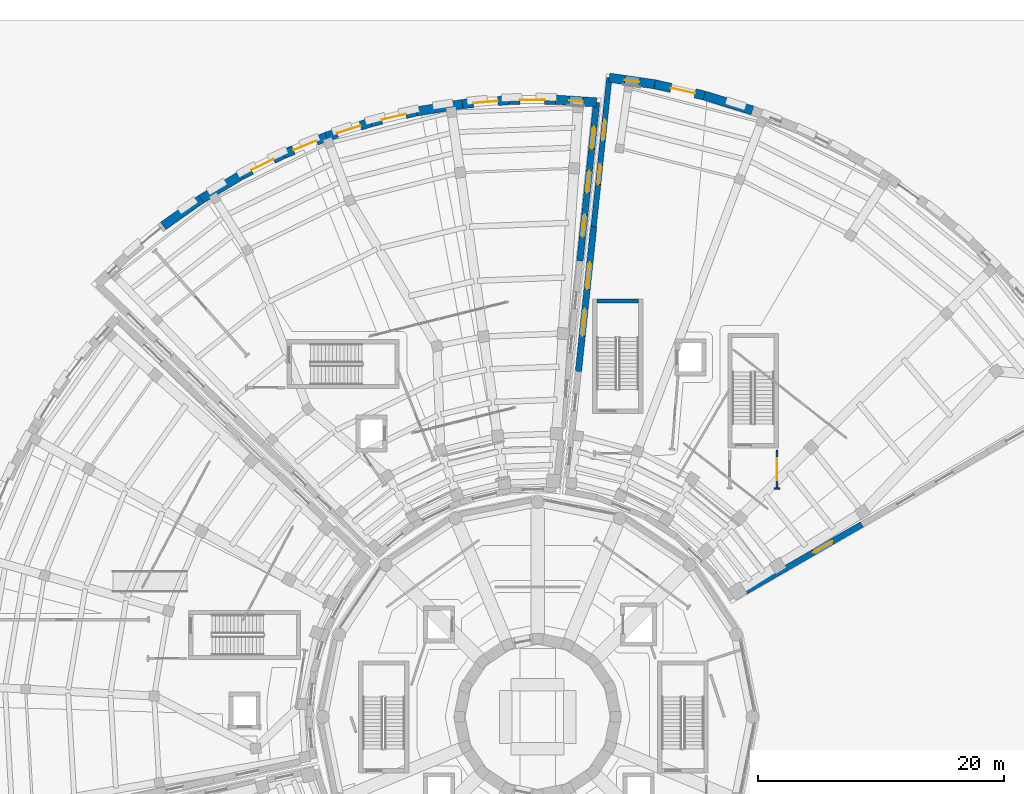
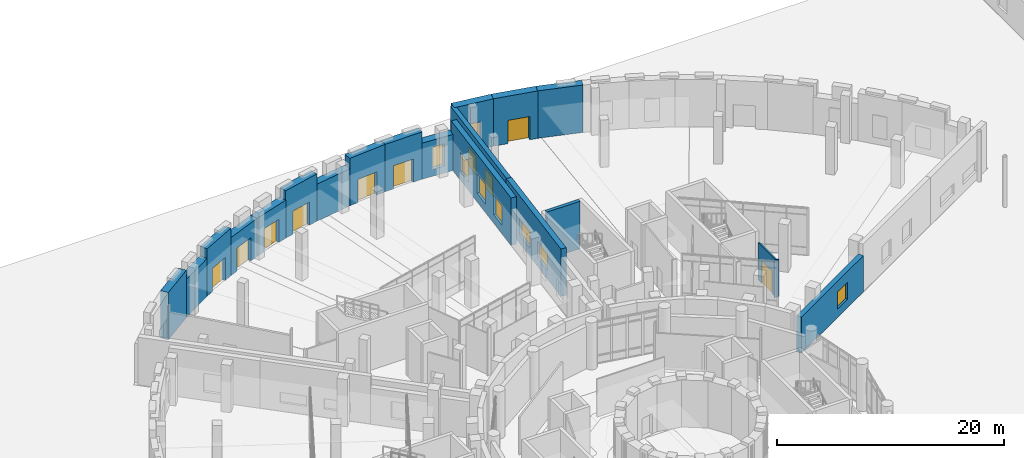
# One storey, part 51 of 74: 20 walls, 10 windows, 8 doors, 18 openings.
"""IFC4 building model written with IfcOpenShell, lengths in metres."""

import ifcopenshell
import ifcopenshell.guid

model = None  # the IFC model being written
_history = None  # IfcOwnerHistory: only IFC2X3 demands one
_inside = {}  # id of a spatial element -> (the spatial element, [elements in it])
_under = {}  # id of a project, library or spatial element -> (it, [spatial elements below it])
_declared = {}  # id of a project -> (the project, [libraries it declares])
_typed = {}  # id of a type object -> (the type object, [elements of that type])
_made_of = {}  # id of a material, layer set ... -> (it, [elements and type objects made of it])


def new_model(schema):
    """Start an empty IFC model of exactly this schema.

    Asked for "IFC4X3", IfcOpenShell would pick the latest addendum, in which some entities
    have other attributes; the version numbers below select the first issue.
    IFC2X3 requires an IfcOwnerHistory on every rooted entity: one is made here for all.
    """
    global model, _history
    if schema == "IFC4X3":
        model = ifcopenshell.file(schema_version=(4, 3, 0, 0))
    else:
        model = ifcopenshell.file(schema=schema)
    _inside.clear()
    _under.clear()
    _declared.clear()
    _typed.clear()
    _made_of.clear()
    _history = None
    if model.schema == "IFC2X3":
        org = make("IfcOrganization", Name="unknown")
        user = make(
            "IfcPersonAndOrganization",
            ThePerson=make("IfcPerson", FamilyName="unknown"),
            TheOrganization=org,
        )
        app = make(
            "IfcApplication",
            ApplicationDeveloper=org,
            Version="unknown",
            ApplicationFullName="unknown",
            ApplicationIdentifier="unknown",
        )
        _history = make(
            "IfcOwnerHistory",
            OwningUser=user,
            OwningApplication=app,
            ChangeAction="ADDED",
            CreationDate=0,
        )
    return model


def make(cls, **values):
    """One entity of the class cls with the attributes given. An attribute that is None is left unset."""
    return model.create_entity(
        cls, **{name: value for name, value in values.items() if value is not None}
    )


def rooted(cls, **values):
    """An entity with a GlobalId (a new one), such as an element, a storey or a relation."""
    return make(cls, GlobalId=ifcopenshell.guid.new(), OwnerHistory=_history, **values)


def si_unit(unit_type, name, prefix=None):
    """IfcSIUnit, for example si_unit("LENGTHUNIT", "METRE", prefix="MILLI")."""
    return make("IfcSIUnit", UnitType=unit_type, Prefix=prefix, Name=name)


def assignment(units):
    """IfcUnitAssignment: the units of a project."""
    return None if units is None else make("IfcUnitAssignment", Units=units)


def point(xyz):
    """IfcCartesianPoint."""
    return None if xyz is None else make("IfcCartesianPoint", Coordinates=xyz)


def direction(xyz):
    """IfcDirection."""
    return None if xyz is None else make("IfcDirection", DirectionRatios=xyz)


def frame(location, z_axis=None, x_axis=None):
    """IfcAxis2Placement3D, a coordinate frame: its origin and axes. An axis left out is left unset."""
    return make(
        "IfcAxis2Placement3D",
        Location=point(location),
        Axis=direction(z_axis),
        RefDirection=direction(x_axis),
    )


def frame_2d(location, x_axis=None):
    """IfcAxis2Placement2D, a coordinate frame in the plane: its origin and x axis."""
    return make(
        "IfcAxis2Placement2D", Location=point(location), RefDirection=direction(x_axis)
    )


def origin():
    """The frame at (0, 0, 0) with its axes left unset."""
    return frame((0.0, 0.0, 0.0))


def place(relative_to, where):
    """IfcLocalPlacement: puts the frame where relative to a parent placement (None: the world)."""
    return make(
        "IfcLocalPlacement", PlacementRelTo=relative_to, RelativePlacement=where
    )


def context(
    kind, dimensions, precision=None, world=None, true_north=None, identifier=None
):
    """IfcGeometricRepresentationContext, for example the 3D "Model" context."""
    return make(
        "IfcGeometricRepresentationContext",
        ContextIdentifier=identifier,
        ContextType=kind,
        CoordinateSpaceDimension=dimensions,
        Precision=precision,
        WorldCoordinateSystem=world,
        TrueNorth=true_north,
    )


def subcontext(parent, identifier, kind, view, scale=None):
    """IfcGeometricRepresentationSubContext, for example "Body" below "Model"."""
    return make(
        "IfcGeometricRepresentationSubContext",
        ContextIdentifier=identifier,
        ContextType=kind,
        ParentContext=parent,
        TargetScale=scale,
        TargetView=view,
    )


def project(units=None, contexts=None):
    """IfcProject with its units and contexts."""
    return rooted(
        "IfcProject",
        Name="project",
        RepresentationContexts=contexts,
        UnitsInContext=assignment(units),
    )


def spatial(cls, under=None, at=None, **own):
    """A site, building, storey or space (cls), placed at a placement, below another one or the project."""
    s = rooted(cls, ObjectPlacement=at, **own)
    if under is not None:
        _under.setdefault(under.id(), (under, []))[1].append(s)
    return s


def profile(cls, at=None, kind="AREA", **sizes):
    """A parametric profile (cls). Its sizes go by their IFC names, for example OverallWidth=200.0."""
    return make(cls, ProfileType=kind, Position=at, **sizes)


def rectangle(**sizes):
    """IfcRectangleProfileDef."""
    return profile("IfcRectangleProfileDef", **sizes)


def extrude(swept, where, along, depth):
    """IfcExtrudedAreaSolid: the profile swept, set in the frame where, extruded along a direction by depth."""
    return make(
        "IfcExtrudedAreaSolid",
        SweptArea=swept,
        Position=where,
        ExtrudedDirection=direction(along),
        Depth=depth,
    )


def shape(context_of_items, identifier, shape_type, items):
    """IfcShapeRepresentation: the items that make up one representation, for example the "Body"."""
    return make(
        "IfcShapeRepresentation",
        ContextOfItems=context_of_items,
        RepresentationIdentifier=identifier,
        RepresentationType=shape_type,
        Items=items,
    )


def material(Name=None, Category=None):
    """IfcMaterial."""
    return make("IfcMaterial", Name=Name, Category=Category)


def layer(
    of_material, thickness, ventilated=None, Name=None, Category=None, Priority=None
):
    """IfcMaterialLayer: one layer of a wall or slab, of a material (None: an air gap)."""
    return make(
        "IfcMaterialLayer",
        Material=of_material,
        LayerThickness=thickness,
        IsVentilated=ventilated,
        Name=Name,
        Category=Category,
        Priority=Priority,
    )


def layer_set(layers, Name=None):
    """IfcMaterialLayerSet."""
    return make("IfcMaterialLayerSet", MaterialLayers=layers, LayerSetName=Name)


def made_of(thing, what):
    """Note that an element or type object is made of a material, layer set ...; save() writes the relation."""
    if what is not None:
        _made_of.setdefault(what.id(), (what, []))[1].append(thing)
    return thing


def type_object(cls, material=None, **own):
    """A type object (cls), such as IfcWallType, which elements share."""
    return made_of(rooted(cls, **own), material)


def element(
    cls,
    number,
    at=None,
    inside=None,
    cuts=None,
    type_object=None,
    material=None,
    context=None,
    identifier="Body",
    shape_type=None,
    held_by="IfcProductDefinitionShape",
    body=None,
    shapes=None,
    **own,
):
    """One element of the class cls, such as IfcWall. Its Tag is "e" and its number.

    at: its placement. inside: the storey or other place that contains it. cuts: it is an
    opening in that element (IfcRelVoidsElement). A single representation is given by context,
    identifier, shape_type and body (its items); several are given by shapes. held_by: the class
    of the entity that holds the representations. save() writes the other relations.
    """
    e = rooted(cls, Tag="e%d" % number, ObjectPlacement=at, **own)
    if body is not None:
        shapes = [shape(context, identifier, shape_type, body)]
    if shapes is not None:
        e.Representation = make(held_by, Representations=shapes)
    if inside is not None:
        _inside.setdefault(inside.id(), (inside, []))[1].append(e)
    if cuts is not None:
        rooted(
            "IfcRelVoidsElement", RelatingBuildingElement=cuts, RelatedOpeningElement=e
        )
    if type_object is not None:
        _typed.setdefault(type_object.id(), (type_object, []))[1].append(e)
    return made_of(e, material)


def fill(opening, filler):
    """IfcRelFillsElement: the door or window that sits in an opening."""
    return rooted(
        "IfcRelFillsElement",
        RelatingOpeningElement=opening,
        RelatedBuildingElement=filler,
    )


def aggregate(whole, parts):
    """IfcRelAggregates: a whole, such as a stair, and the parts it consists of."""
    return rooted("IfcRelAggregates", RelatingObject=whole, RelatedObjects=parts)


def save(model, path):
    """Write the relations noted so far, then the file.

    IfcRelAggregates (storeys below a building ...), IfcRelContainedInSpatialStructure (elements
    in a storey), IfcRelDefinesByType, IfcRelAssociatesMaterial and IfcRelDeclares: one each for
    every whole, place, type object, material and project.
    """
    for whole, parts in _under.values():
        aggregate(whole, parts)
    for where, things in _inside.values():
        rooted(
            "IfcRelContainedInSpatialStructure",
            RelatedElements=things,
            RelatingStructure=where,
        )
    for kind, things in _typed.values():
        rooted("IfcRelDefinesByType", RelatedObjects=things, RelatingType=kind)
    for what, things in _made_of.values():
        rooted("IfcRelAssociatesMaterial", RelatedObjects=things, RelatingMaterial=what)
    for by, libraries in _declared.values():
        rooted("IfcRelDeclares", RelatingContext=by, RelatedDefinitions=libraries)
    model.write(path)


model = new_model("IFC4")

# Units and contexts
model_context = context("Model", 3, precision=1e-05, world=origin(), true_north=direction((0.0, 1.0)))
body_context = subcontext(model_context, "Body", "Model", "MODEL_VIEW")
ifc_project = project(units=[si_unit("LENGTHUNIT", "METRE"), si_unit("AREAUNIT", "SQUARE_METRE"), si_unit("VOLUMEUNIT", "CUBIC_METRE"), si_unit("PLANEANGLEUNIT", "RADIAN"), si_unit("MASSUNIT", "GRAM", prefix="KILO")], contexts=[model_context])

# Site, building, storey
site_placement = place(None, origin())
site = spatial("IfcSite", under=ifc_project, at=site_placement, CompositionType="ELEMENT")
building_placement = place(site_placement, origin())
building = spatial("IfcBuilding", under=site, at=building_placement, Name="Soyqirgoq Riverine Aquarium", CompositionType="ELEMENT")
storey_placement = place(building_placement, origin())
storey = spatial("IfcBuildingStorey", under=building, at=storey_placement, Name="L01", CompositionType="ELEMENT", Elevation=0.0)

# Walls
ifc_material_1 = material(Name="Concrete C40/50", Category="concrete")
ifc_layer_1 = layer(ifc_material_1, 0.35009765625)
ifc_layer_set_1 = layer_set([ifc_layer_1], Name="Concrete C40/50")
wall_type_1 = type_object("IfcWallType", Name="CoreShearWall_350_C40", PredefinedType="SHEAR", material=ifc_layer_set_1)
wall_1_placement = place(storey_placement, frame((64.199951171875, 90.77490234375, 0.0), z_axis=(0.0, 0.0, 1.0), x_axis=(-1.0, 0.0, 0.0)))
element("IfcWall", 1, at=wall_1_placement, inside=storey, type_object=wall_type_1, Name="CORE-5A L01 Stair Core Shear Wall BACK", PredefinedType="SHEAR", context=body_context, shape_type="SweptSolid", body=[
    extrude(rectangle(XDim=3.39990234375, YDim=0.35009765625, at=frame_2d((1.699951171875, 0.0))), origin(), (0.0, 0.0, 1.0), 5.10009765625),
])
ifc_material_2 = material(Name="Lightweight steel-stud gypsum partition", Category="steel")
ifc_layer_2 = layer(ifc_material_2, 0.1201171875)
ifc_layer_set_2 = layer_set([ifc_layer_2], Name="Lightweight steel-stud gypsum partition")
wall_type_2 = type_object("IfcWallType", Name="PartitionWall_120_Std", PredefinedType="PARTITIONING", material=ifc_layer_set_2)
wall_2_placement = place(storey_placement, frame((75.219970703125, 75.56005859375, 0.0), z_axis=(0.0, 0.0, 1.0), x_axis=(1.0, 0.0, 0.0)))
element("IfcWall", 2, at=wall_2_placement, inside=storey, type_object=wall_type_2, Name="V5 L01 Jamb Return Pier", PredefinedType="PARTITIONING", context=body_context, shape_type="SweptSolid", body=[
    extrude(rectangle(XDim=0.43994140625, YDim=0.1201171875, at=frame_2d((0.219970703125, 0.0))), origin(), (0.0, 0.0, 1.0), 3.989990234375),
])

# Wall, opening, door
ifc_material_3 = material(Name="Acoustic mineral-wool twin-stud partition", Category="gypsum")
ifc_layer_3 = layer(ifc_material_3, 0.14990234375)
ifc_layer_set_3 = layer_set([ifc_layer_3], Name="Acoustic mineral-wool twin-stud partition")
wall_type_3 = type_object("IfcWallType", Name="PartitionWall_150_Acoustic", PredefinedType="PARTITIONING", material=ifc_layer_set_3)
wall_3_placement = place(storey_placement, frame((75.43994140625, 78.64990234375, 0.0), z_axis=(0.0, 0.0, 1.0), x_axis=(0.0, -1.0, 0.0)))
wall_3 = element("IfcWall", 3, at=wall_3_placement, inside=storey, type_object=wall_type_3, Name="Shark and Ray Viewing Gallery Partition Wall", PredefinedType="PARTITIONING", context=body_context, shape_type="SweptSolid", body=[
    extrude(rectangle(XDim=3.08984375, YDim=0.14990234375, at=frame_2d((1.544921875, 0.0))), origin(), (0.0, 0.0, 1.0), 3.989990234375),
])
opening_1_placement = place(wall_3_placement, frame((0.64501953125, 0.0, 0.0)))
opening_1 = element("IfcOpeningElement", 4, at=opening_1_placement, cuts=wall_3, Name="Opening ID-01", PredefinedType="OPENING", context=body_context, shape_type="SweptSolid", body=[
    extrude(rectangle(XDim=1.800048828125, YDim=2.39990234375, at=frame_2d((0.89990234375, 1.199951171875))), frame((0.0, 0.0849609375, 0.0), z_axis=(0.0, -1.0, 0.0), x_axis=(1.0, 0.0, 0.0)), (0.0, 0.0, 1.0), 0.169921875),
])
ifc_material_4 = material(Name="Acoustic timber-framed glazed gallery double door", Category="wood")
door_type_1 = type_object("IfcDoorType", Name="GalleryDoubleDoor_1800x2400", OperationType="DOUBLE_DOOR_SINGLE_SWING", PredefinedType="DOOR", material=ifc_material_4)
door_1_placement = place(opening_1_placement, origin())
door_1 = element("IfcDoor", 5, at=door_1_placement, inside=storey, type_object=door_type_1, Name="IDR-V5-L01-0144 Shark and Ray Viewing Gallery Door", OperationType="DOUBLE_DOOR_SINGLE_SWING", OverallHeight=2.39990234375, OverallWidth=1.800048828125, PredefinedType="DOOR", context=body_context, shape_type="SweptSolid", body=[
    extrude(rectangle(XDim=1.800048828125, YDim=2.39990234375, at=frame_2d((0.89990234375, 1.199951171875))), frame((0.0, 0.02490234375, 0.0), z_axis=(0.0, -1.0, 0.0), x_axis=(1.0, 0.0, 0.0)), (0.0, 0.0, 1.0), 0.050048828125),
])
fill(opening_1, door_1)

# Wall, openings, windows
ifc_material_5 = material(Name="Honed travertine limestone cavity wall", Category="masonry")
ifc_layer_4 = layer(ifc_material_5, 0.449951171875)
ifc_layer_set_4 = layer_set([ifc_layer_4], Name="Honed travertine limestone cavity wall")
wall_type_4 = type_object("IfcWallType", Name="TravertineCavityWall_450", PredefinedType="SOLIDWALL", material=ifc_layer_set_4)
wall_4_placement = place(storey_placement, frame((60.547119140625, 96.81787109375, 0.0), z_axis=(0.0, 0.0, 1.0), x_axis=(0.104517571645, 0.994523040064, 0.0)))
wall_4 = element("IfcWall", 6, at=wall_4_placement, inside=storey, type_object=wall_type_4, Name="V5 L01 Exterior Travertine Wall 0243", PredefinedType="SOLIDWALL", context=body_context, shape_type="SweptSolid", body=[
    extrude(rectangle(XDim=12.16064453125, YDim=0.449951171875, at=frame_2d((6.080322265625, 0.0))), origin(), (0.0, 0.0, 1.0), 5.10009765625),
])
opening_2_placement = place(wall_4_placement, frame((3.455322265625, 0.0, 0.89990234375)))
opening_2 = element("IfcOpeningElement", 7, at=opening_2_placement, cuts=wall_4, Name="Opening WN-13", PredefinedType="OPENING", context=body_context, shape_type="SweptSolid", body=[
    extrude(rectangle(XDim=1.64990234375, YDim=2.0, at=frame_2d((0.824951171875, 1.0))), frame((0.0, 0.23486328125, 0.0), z_axis=(0.0, -1.0, 0.0), x_axis=(1.0, 0.0, 0.0)), (0.0, 0.0, 1.0), 0.469970703125),
])
opening_3_placement = place(wall_4_placement, frame((7.055419921875, 0.0, 0.89990234375)))
opening_3 = element("IfcOpeningElement", 8, at=opening_3_placement, cuts=wall_4, Name="Opening WN-13", PredefinedType="OPENING", context=body_context, shape_type="SweptSolid", body=[
    extrude(rectangle(XDim=1.64990234375, YDim=2.0, at=frame_2d((0.824951171875, 1.0))), frame((0.0, 0.23486328125, 0.0), z_axis=(0.0, -1.0, 0.0), x_axis=(1.0, 0.0, 0.0)), (0.0, 0.0, 1.0), 0.469970703125),
])
ifc_material_6 = material(Name="Thermally broken aluminium triple low-E window", Category="aluminium")
window_type_1 = type_object("IfcWindowType", Name="Win_Gallery_1650x2000", PartitioningType="DOUBLE_PANEL_VERTICAL", PredefinedType="WINDOW", material=ifc_material_6)
window_1_placement = place(opening_2_placement, origin())
window_1 = element("IfcWindow", 9, at=window_1_placement, inside=storey, type_object=window_type_1, Name="V5 L01 Facade Window 0185", OverallHeight=2.0, OverallWidth=1.64990234375, PartitioningType="DOUBLE_PANEL_VERTICAL", PredefinedType="WINDOW", context=body_context, shape_type="SweptSolid", body=[
    extrude(rectangle(XDim=1.64990234375, YDim=2.0, at=frame_2d((0.824951171875, 1.0))), frame((0.0, 0.030029296875, 0.0), z_axis=(0.0, -1.0, 0.0), x_axis=(1.0, 0.0, 0.0)), (0.0, 0.0, 1.0), 0.06005859375),
])
fill(opening_2, window_1)
window_2_placement = place(opening_3_placement, origin())
window_2 = element("IfcWindow", 10, at=window_2_placement, inside=storey, type_object=window_type_1, Name="V5 L01 Facade Window 0186", OverallHeight=2.0, OverallWidth=1.64990234375, PartitioningType="DOUBLE_PANEL_VERTICAL", PredefinedType="WINDOW", context=body_context, shape_type="SweptSolid", body=[
    extrude(rectangle(XDim=1.64990234375, YDim=2.0, at=frame_2d((0.824951171875, 1.0))), frame((0.0, 0.030029296875, 0.0), z_axis=(0.0, -1.0, 0.0), x_axis=(1.0, 0.0, 0.0)), (0.0, 0.0, 1.0), 0.06005859375),
])
fill(opening_3, window_2)

# Wall, opening, window
ifc_material_7 = material(Name="Honed travertine limestone cavity wall", Category="masonry")
ifc_layer_5 = layer(ifc_material_7, 0.5)
ifc_layer_set_5 = layer_set([ifc_layer_5], Name="Honed travertine limestone cavity wall")
wall_type_5 = type_object("IfcWallType", Name="TravertineCavityWall_500", PredefinedType="SOLIDWALL", material=ifc_layer_set_5)
wall_5_placement = place(storey_placement, frame((82.3349609375, 72.6201171875, 0.0), z_axis=(0.0, 0.0, 1.0), x_axis=(-0.866027007116, -0.499997222938, 0.0)))
wall_5 = element("IfcWall", 11, at=wall_5_placement, inside=storey, type_object=wall_type_5, Name="V5 L01 Exterior Travertine Wall 0258", PredefinedType="SOLIDWALL", context=body_context, shape_type="SweptSolid", body=[
    extrude(rectangle(XDim=10.89599609375, YDim=0.5, at=frame_2d((5.447998046875, 0.0))), origin(), (0.0, 0.0, 1.0), 3.889892578125),
])
opening_4_placement = place(wall_5_placement, frame((2.77294921875, 0.0, 0.89990234375)))
opening_4 = element("IfcOpeningElement", 12, at=opening_4_placement, cuts=wall_5, Name="Opening WN-19", PredefinedType="OPENING", context=body_context, shape_type="SweptSolid", body=[
    extrude(rectangle(XDim=1.75, YDim=1.85009765625, at=frame_2d((0.875, 0.925048828125))), frame((0.0, 0.260009765625, 0.0), z_axis=(0.0, -1.0, 0.0), x_axis=(1.0, 0.0, 0.0)), (0.0, 0.0, 1.0), 0.52001953125),
])
ifc_material_8 = material(Name="Thermally broken aluminium triple low-E window", Category="aluminium")
window_type_2 = type_object("IfcWindowType", Name="Win_Office_1750x1850", PartitioningType="DOUBLE_PANEL_VERTICAL", PredefinedType="WINDOW", material=ifc_material_8)
window_3_placement = place(opening_4_placement, origin())
window_3 = element("IfcWindow", 13, at=window_3_placement, inside=storey, type_object=window_type_2, Name="V5 L01 Facade Window 0198", OverallHeight=1.85009765625, OverallWidth=1.75, PartitioningType="DOUBLE_PANEL_VERTICAL", PredefinedType="WINDOW", context=body_context, shape_type="SweptSolid", body=[
    extrude(rectangle(XDim=1.75, YDim=1.85009765625, at=frame_2d((0.875, 0.925048828125))), frame((0.0, 0.030029296875, 0.0), z_axis=(0.0, -1.0, 0.0), x_axis=(1.0, 0.0, 0.0)), (0.0, 0.0, 1.0), 0.06005859375),
])
fill(opening_4, window_3)

# Wall, openings, windows
ifc_material_9 = material(Name="Honed travertine limestone cavity wall", Category="masonry")
ifc_layer_6 = layer(ifc_material_9, 0.52001953125)
ifc_layer_set_6 = layer_set([ifc_layer_6], Name="Honed travertine limestone cavity wall")
wall_type_6 = type_object("IfcWallType", Name="TravertineCavityWall_520", PredefinedType="SOLIDWALL", material=ifc_layer_set_6)
wall_6_placement = place(storey_placement, frame((60.78271484375, 106.906005859375, 0.0), z_axis=(0.0, 0.0, 1.0), x_axis=(-0.104518901773, -0.994522900275, 0.0)))
wall_6 = element("IfcWall", 14, at=wall_6_placement, inside=storey, type_object=wall_type_6, Name="V4 L01 Exterior Travertine Wall 0174", PredefinedType="SOLIDWALL", context=body_context, shape_type="SweptSolid", body=[
    extrude(rectangle(XDim=12.947509765625, YDim=0.52001953125, at=frame_2d((6.4736328125, 0.0))), origin(), (0.0, 0.0, 1.0), 5.10009765625),
])
opening_5_placement = place(wall_6_placement, frame((1.973876953125, 0.0, 0.89990234375)))
opening_5 = element("IfcOpeningElement", 15, at=opening_5_placement, cuts=wall_6, Name="Opening WN-05", PredefinedType="OPENING", context=body_context, shape_type="SweptSolid", body=[
    extrude(rectangle(XDim=1.800048828125, YDim=2.10009765625, at=frame_2d((0.89990234375, 1.050048828125))), frame((0.0, 0.27001953125, 0.0), z_axis=(0.0, -1.0, 0.0), x_axis=(1.0, 0.0, 0.0)), (0.0, 0.0, 1.0), 0.5400390625),
])
opening_6_placement = place(wall_6_placement, frame((5.57373046875, 0.0, 0.89990234375)))
opening_6 = element("IfcOpeningElement", 16, at=opening_6_placement, cuts=wall_6, Name="Opening WN-05", PredefinedType="OPENING", context=body_context, shape_type="SweptSolid", body=[
    extrude(rectangle(XDim=1.800048828125, YDim=2.10009765625, at=frame_2d((0.89990234375, 1.050048828125))), frame((0.0, 0.27001953125, 0.0), z_axis=(0.0, -1.0, 0.0), x_axis=(1.0, 0.0, 0.0)), (0.0, 0.0, 1.0), 0.5400390625),
])
opening_7_placement = place(wall_6_placement, frame((9.173828125, 0.0, 0.89990234375)))
opening_7 = element("IfcOpeningElement", 17, at=opening_7_placement, cuts=wall_6, Name="Opening WN-05", PredefinedType="OPENING", context=body_context, shape_type="SweptSolid", body=[
    extrude(rectangle(XDim=1.800048828125, YDim=2.10009765625, at=frame_2d((0.89990234375, 1.050048828125))), frame((0.0, 0.27001953125, 0.0), z_axis=(0.0, -1.0, 0.0), x_axis=(1.0, 0.0, 0.0)), (0.0, 0.0, 1.0), 0.5400390625),
])
ifc_material_10 = material(Name="Thermally broken aluminium triple low-E window", Category="aluminium")
window_type_3 = type_object("IfcWindowType", Name="Win_Gallery_1800x2100", PartitioningType="DOUBLE_PANEL_VERTICAL", PredefinedType="WINDOW", material=ifc_material_10)
window_4_placement = place(opening_5_placement, origin())
window_4 = element("IfcWindow", 18, at=window_4_placement, inside=storey, type_object=window_type_3, Name="V4 L01 Facade Window 0110", OverallHeight=2.10009765625, OverallWidth=1.800048828125, PartitioningType="DOUBLE_PANEL_VERTICAL", PredefinedType="WINDOW", context=body_context, shape_type="SweptSolid", body=[
    extrude(rectangle(XDim=1.800048828125, YDim=2.10009765625, at=frame_2d((0.89990234375, 1.050048828125))), frame((0.0, 0.030029296875, 0.0), z_axis=(0.0, -1.0, 0.0), x_axis=(1.0, 0.0, 0.0)), (0.0, 0.0, 1.0), 0.06005859375),
])
fill(opening_5, window_4)
window_5_placement = place(opening_6_placement, origin())
window_5 = element("IfcWindow", 19, at=window_5_placement, inside=storey, type_object=window_type_3, Name="V4 L01 Facade Window 0111", OverallHeight=2.10009765625, OverallWidth=1.800048828125, PartitioningType="DOUBLE_PANEL_VERTICAL", PredefinedType="WINDOW", context=body_context, shape_type="SweptSolid", body=[
    extrude(rectangle(XDim=1.800048828125, YDim=2.10009765625, at=frame_2d((0.89990234375, 1.050048828125))), frame((0.0, 0.030029296875, 0.0), z_axis=(0.0, -1.0, 0.0), x_axis=(1.0, 0.0, 0.0)), (0.0, 0.0, 1.0), 0.06005859375),
])
fill(opening_6, window_5)
window_6_placement = place(opening_7_placement, origin())
window_6 = element("IfcWindow", 20, at=window_6_placement, inside=storey, type_object=window_type_3, Name="V4 L01 Facade Window 0112", OverallHeight=2.10009765625, OverallWidth=1.800048828125, PartitioningType="DOUBLE_PANEL_VERTICAL", PredefinedType="WINDOW", context=body_context, shape_type="SweptSolid", body=[
    extrude(rectangle(XDim=1.800048828125, YDim=2.10009765625, at=frame_2d((0.89990234375, 1.050048828125))), frame((0.0, 0.030029296875, 0.0), z_axis=(0.0, -1.0, 0.0), x_axis=(1.0, 0.0, 0.0)), (0.0, 0.0, 1.0), 0.06005859375),
])
fill(opening_7, window_6)

wall_7_placement = place(storey_placement, frame((59.311279296875, 85.059814453125, 0.0), z_axis=(0.0, 0.0, 1.0), x_axis=(0.104529993567, 0.994521734526, 0.0)))
wall_7 = element("IfcWall", 21, at=wall_7_placement, inside=storey, type_object=wall_type_6, Name="V5 L01 Exterior Travertine Wall 0242", PredefinedType="SOLIDWALL", context=body_context, shape_type="SweptSolid", body=[
    extrude(rectangle(XDim=11.82275390625, YDim=0.52001953125, at=frame_2d((5.911376953125, 0.0))), origin(), (0.0, 0.0, 1.0), 5.10009765625),
])
opening_8_placement = place(wall_7_placement, frame((2.911376953125, 0.0, 0.89990234375)))
opening_8 = element("IfcOpeningElement", 22, at=opening_8_placement, cuts=wall_7, Name="Opening WN-09", PredefinedType="OPENING", context=body_context, shape_type="SweptSolid", body=[
    extrude(rectangle(XDim=2.199951171875, YDim=1.800048828125, at=frame_2d((1.10009765625, 0.89990234375))), frame((0.0, 0.27001953125, 0.0), z_axis=(0.0, -1.0, 0.0), x_axis=(1.0, 0.0, 0.0)), (0.0, 0.0, 1.0), 0.5400390625),
])
opening_9_placement = place(wall_7_placement, frame((6.71142578125, 0.0, 0.89990234375)))
opening_9 = element("IfcOpeningElement", 23, at=opening_9_placement, cuts=wall_7, Name="Opening WN-09", PredefinedType="OPENING", context=body_context, shape_type="SweptSolid", body=[
    extrude(rectangle(XDim=2.199951171875, YDim=1.800048828125, at=frame_2d((1.10009765625, 0.89990234375))), frame((0.0, 0.27001953125, 0.0), z_axis=(0.0, -1.0, 0.0), x_axis=(1.0, 0.0, 0.0)), (0.0, 0.0, 1.0), 0.5400390625),
])
ifc_material_11 = material(Name="Thermally broken aluminium triple low-E window", Category="aluminium")
window_type_4 = type_object("IfcWindowType", Name="Win_Office_2200x1800", PartitioningType="TRIPLE_PANEL_VERTICAL", PredefinedType="WINDOW", material=ifc_material_11)
window_7_placement = place(opening_8_placement, origin())
window_7 = element("IfcWindow", 24, at=window_7_placement, inside=storey, type_object=window_type_4, Name="V5 L01 Facade Window 0183", OverallHeight=1.800048828125, OverallWidth=2.199951171875, PartitioningType="TRIPLE_PANEL_VERTICAL", PredefinedType="WINDOW", context=body_context, shape_type="SweptSolid", body=[
    extrude(rectangle(XDim=2.199951171875, YDim=1.800048828125, at=frame_2d((1.10009765625, 0.89990234375))), frame((0.0, 0.030029296875, 0.0), z_axis=(0.0, -1.0, 0.0), x_axis=(1.0, 0.0, 0.0)), (0.0, 0.0, 1.0), 0.06005859375),
])
fill(opening_8, window_7)
window_8_placement = place(opening_9_placement, origin())
window_8 = element("IfcWindow", 25, at=window_8_placement, inside=storey, type_object=window_type_4, Name="V5 L01 Facade Window 0184", OverallHeight=1.800048828125, OverallWidth=2.199951171875, PartitioningType="TRIPLE_PANEL_VERTICAL", PredefinedType="WINDOW", context=body_context, shape_type="SweptSolid", body=[
    extrude(rectangle(XDim=2.199951171875, YDim=1.800048828125, at=frame_2d((1.10009765625, 0.89990234375))), frame((0.0, 0.030029296875, 0.0), z_axis=(0.0, -1.0, 0.0), x_axis=(1.0, 0.0, 0.0)), (0.0, 0.0, 1.0), 0.06005859375),
])
fill(opening_9, window_8)

# Walls
ifc_material_12 = material(Name="Honed travertine limestone cavity wall", Category="masonry")
ifc_layer_7 = layer(ifc_material_12, 0.75)
ifc_layer_set_7 = layer_set([ifc_layer_7], Name="Honed travertine limestone cavity wall")
wall_type_7 = type_object("IfcWallType", Name="TravertineNicheWall_750", PredefinedType="SOLIDWALL", material=ifc_layer_set_7)
wall_8_placement = place(storey_placement, frame((25.586669921875, 96.875, 0.0), z_axis=(0.0, 0.0, 1.0), x_axis=(0.817470720904, 0.57597015588, 0.0)))
element("IfcWall", 26, at=wall_8_placement, inside=storey, type_object=wall_type_7, Name="V4 L01 Exterior Travertine Wall 0164", PredefinedType="SOLIDWALL", context=body_context, shape_type="SweptSolid", body=[
    extrude(rectangle(XDim=3.7919921875, YDim=0.75, at=frame_2d((1.89599609375, 0.0))), origin(), (0.0, 0.0, 1.0), 5.10009765625),
])
wall_9_placement = place(storey_placement, frame((28.6865234375, 99.05908203125, 0.0), z_axis=(0.0, 0.0, 1.0), x_axis=(0.858644028079, 0.512572368592, 0.0)))
element("IfcWall", 27, at=wall_9_placement, inside=storey, type_object=wall_type_7, Name="V4 L01 Exterior Travertine Wall 0165", PredefinedType="SOLIDWALL", context=body_context, shape_type="SweptSolid", body=[
    extrude(rectangle(XDim=3.791748046875, YDim=0.75, at=frame_2d((1.89599609375, 0.0))), origin(), (0.0, 0.0, 1.0), 4.090087890625),
])

# Wall, opening, door
wall_10_placement = place(storey_placement, frame((31.9423828125, 101.002685546875, 0.0), z_axis=(0.0, 0.0, 1.0), x_axis=(0.89495448859, 0.446157442337, 0.0)))
wall_10 = element("IfcWall", 28, at=wall_10_placement, inside=storey, type_object=wall_type_7, Name="V4 L01 Exterior Travertine Wall 0166", PredefinedType="SOLIDWALL", context=body_context, shape_type="SweptSolid", body=[
    extrude(rectangle(XDim=3.792236328125, YDim=0.75, at=frame_2d((1.89599609375, 0.0))), origin(), (0.0, 0.0, 1.0), 5.10009765625),
])
opening_10_placement = place(wall_10_placement, frame((0.89599609375, 0.0, 0.0)))
opening_10 = element("IfcOpeningElement", 29, at=opening_10_placement, cuts=wall_10, Name="Opening ED-01", PredefinedType="OPENING", context=body_context, shape_type="SweptSolid", body=[
    extrude(rectangle(XDim=2.0, YDim=2.5, at=frame_2d((1.0, 1.25))), frame((0.0, 0.385009765625, 0.0), z_axis=(0.0, -1.0, 0.0), x_axis=(1.0, 0.0, 0.0)), (0.0, 0.0, 1.0), 0.77001953125),
])
ifc_material_13 = material(Name="Anodised aluminium glazed entrance door", Category="aluminium")
door_type_2 = type_object("IfcDoorType", Name="ExitDoubleDoor_2000x2500", OperationType="DOUBLE_DOOR_SINGLE_SWING", PredefinedType="DOOR", material=ifc_material_13)
door_2_placement = place(opening_10_placement, origin())
door_2 = element("IfcDoor", 30, at=door_2_placement, inside=storey, type_object=door_type_2, Name="EDR-V4-L01-13 V4 L01 Grade Pedestrian Exit Discharge Door 13", OperationType="DOUBLE_DOOR_SINGLE_SWING", OverallHeight=2.5, OverallWidth=2.0, PredefinedType="DOOR", context=body_context, shape_type="SweptSolid", body=[
    extrude(rectangle(XDim=2.0, YDim=2.5, at=frame_2d((1.0, 1.25))), frame((0.0, 0.02490234375, 0.0), z_axis=(0.0, -1.0, 0.0), x_axis=(1.0, 0.0, 0.0)), (0.0, 0.0, 1.0), 0.050048828125),
])
fill(opening_10, door_2)

wall_11_placement = place(storey_placement, frame((35.336181640625, 102.694580078125, 0.0), z_axis=(0.0, 0.0, 1.0), x_axis=(0.92607319541, 0.377343923686, 0.0)))
wall_11 = element("IfcWall", 31, at=wall_11_placement, inside=storey, type_object=wall_type_7, Name="V4 L01 Exterior Travertine Wall 0167", PredefinedType="SOLIDWALL", context=body_context, shape_type="SweptSolid", body=[
    extrude(rectangle(XDim=3.7919921875, YDim=0.75, at=frame_2d((1.89599609375, 0.0))), origin(), (0.0, 0.0, 1.0), 4.090087890625),
])
opening_11_placement = place(wall_11_placement, frame((0.89599609375, 0.0, 0.0)))
opening_11 = element("IfcOpeningElement", 32, at=opening_11_placement, cuts=wall_11, Name="Opening ED-01", PredefinedType="OPENING", context=body_context, shape_type="SweptSolid", body=[
    extrude(rectangle(XDim=2.0, YDim=2.5, at=frame_2d((1.0, 1.25))), frame((0.0, 0.385009765625, 0.0), z_axis=(0.0, -1.0, 0.0), x_axis=(1.0, 0.0, 0.0)), (0.0, 0.0, 1.0), 0.77001953125),
])
door_3_placement = place(opening_11_placement, origin())
door_3 = element("IfcDoor", 33, at=door_3_placement, inside=storey, type_object=door_type_2, Name="EDR-V4-L01-14 V4 L01 Grade Pedestrian Exit Discharge Door 14", OperationType="DOUBLE_DOOR_SINGLE_SWING", OverallHeight=2.5, OverallWidth=2.0, PredefinedType="DOOR", context=body_context, shape_type="SweptSolid", body=[
    extrude(rectangle(XDim=2.0, YDim=2.5, at=frame_2d((1.0, 1.25))), frame((0.0, 0.02490234375, 0.0), z_axis=(0.0, -1.0, 0.0), x_axis=(1.0, 0.0, 0.0)), (0.0, 0.0, 1.0), 0.050048828125),
])
fill(opening_11, door_3)

wall_12_placement = place(storey_placement, frame((38.847900390625, 104.12548828125, 0.0), z_axis=(0.0, 0.0, 1.0), x_axis=(0.951959535224, 0.306223845081, 0.0)))
wall_12 = element("IfcWall", 34, at=wall_12_placement, inside=storey, type_object=wall_type_7, Name="V4 L01 Exterior Travertine Wall 0168", PredefinedType="SOLIDWALL", context=body_context, shape_type="SweptSolid", body=[
    extrude(rectangle(XDim=3.791748046875, YDim=0.75, at=frame_2d((1.89599609375, 0.0))), origin(), (0.0, 0.0, 1.0), 4.090087890625),
])
opening_12_placement = place(wall_12_placement, frame((0.89599609375, 0.0, 0.0)))
opening_12 = element("IfcOpeningElement", 35, at=opening_12_placement, cuts=wall_12, Name="Opening ED-01", PredefinedType="OPENING", context=body_context, shape_type="SweptSolid", body=[
    extrude(rectangle(XDim=2.0, YDim=2.5, at=frame_2d((1.0, 1.25))), frame((0.0, 0.385009765625, 0.0), z_axis=(0.0, -1.0, 0.0), x_axis=(1.0, 0.0, 0.0)), (0.0, 0.0, 1.0), 0.77001953125),
])
door_4_placement = place(opening_12_placement, origin())
door_4 = element("IfcDoor", 36, at=door_4_placement, inside=storey, type_object=door_type_2, Name="EDR-V4-L01-15 V4 L01 Grade Pedestrian Exit Discharge Door 15", OperationType="DOUBLE_DOOR_SINGLE_SWING", OverallHeight=2.5, OverallWidth=2.0, PredefinedType="DOOR", context=body_context, shape_type="SweptSolid", body=[
    extrude(rectangle(XDim=2.0, YDim=2.5, at=frame_2d((1.0, 1.25))), frame((0.0, 0.02490234375, 0.0), z_axis=(0.0, -1.0, 0.0), x_axis=(1.0, 0.0, 0.0)), (0.0, 0.0, 1.0), 0.050048828125),
])
fill(opening_12, door_4)

wall_13_placement = place(storey_placement, frame((42.45751953125, 105.28662109375, 0.0), z_axis=(0.0, 0.0, 1.0), x_axis=(0.972368597745, 0.233450873033, 0.0)))
wall_13 = element("IfcWall", 37, at=wall_13_placement, inside=storey, type_object=wall_type_7, Name="V4 L01 Exterior Travertine Wall 0169", PredefinedType="SOLIDWALL", context=body_context, shape_type="SweptSolid", body=[
    extrude(rectangle(XDim=3.7919921875, YDim=0.75, at=frame_2d((1.89599609375, 0.0))), origin(), (0.0, 0.0, 1.0), 5.10009765625),
])
opening_13_placement = place(wall_13_placement, frame((0.89599609375, 0.0, 0.0)))
opening_13 = element("IfcOpeningElement", 38, at=opening_13_placement, cuts=wall_13, Name="Opening ED-01", PredefinedType="OPENING", context=body_context, shape_type="SweptSolid", body=[
    extrude(rectangle(XDim=2.0, YDim=2.5, at=frame_2d((1.0, 1.25))), frame((0.0, 0.385009765625, 0.0), z_axis=(0.0, -1.0, 0.0), x_axis=(1.0, 0.0, 0.0)), (0.0, 0.0, 1.0), 0.77001953125),
])
door_5_placement = place(opening_13_placement, origin())
door_5 = element("IfcDoor", 39, at=door_5_placement, inside=storey, type_object=door_type_2, Name="EDR-V4-L01-16 V4 L01 Grade Pedestrian Exit Discharge Door 16", OperationType="DOUBLE_DOOR_SINGLE_SWING", OverallHeight=2.5, OverallWidth=2.0, PredefinedType="DOOR", context=body_context, shape_type="SweptSolid", body=[
    extrude(rectangle(XDim=2.0, YDim=2.5, at=frame_2d((1.0, 1.25))), frame((0.0, 0.02490234375, 0.0), z_axis=(0.0, -1.0, 0.0), x_axis=(1.0, 0.0, 0.0)), (0.0, 0.0, 1.0), 0.050048828125),
])
fill(opening_13, door_5)

# Wall
wall_14_placement = place(storey_placement, frame((46.144775390625, 106.171875, 0.0), z_axis=(0.0, 0.0, 1.0), x_axis=(0.987231650427, 0.159291143492, 0.0)))
element("IfcWall", 40, at=wall_14_placement, inside=storey, type_object=wall_type_7, Name="V4 L01 Exterior Travertine Wall 0170", PredefinedType="SOLIDWALL", context=body_context, shape_type="SweptSolid", body=[
    extrude(rectangle(XDim=3.791748046875, YDim=0.75, at=frame_2d((1.89599609375, 0.0))), origin(), (0.0, 0.0, 1.0), 3.989990234375),
])

# Wall, opening, door
wall_15_placement = place(storey_placement, frame((49.88818359375, 106.77587890625, 0.0), z_axis=(0.0, 0.0, 1.0), x_axis=(0.996442430759, 0.084276225487, 0.0)))
wall_15 = element("IfcWall", 41, at=wall_15_placement, inside=storey, type_object=wall_type_7, Name="V4 L01 Exterior Travertine Wall 0171", PredefinedType="SOLIDWALL", context=body_context, shape_type="SweptSolid", body=[
    extrude(rectangle(XDim=3.7919921875, YDim=0.75, at=frame_2d((1.89599609375, 0.0))), origin(), (0.0, 0.0, 1.0), 5.10009765625),
])
opening_14_placement = place(wall_15_placement, frame((0.89599609375, 0.0, 0.0)))
opening_14 = element("IfcOpeningElement", 42, at=opening_14_placement, cuts=wall_15, Name="Opening ED-01", PredefinedType="OPENING", context=body_context, shape_type="SweptSolid", body=[
    extrude(rectangle(XDim=2.0, YDim=2.5, at=frame_2d((1.0, 1.25))), frame((0.0, 0.385009765625, 0.0), z_axis=(0.0, -1.0, 0.0), x_axis=(1.0, 0.0, 0.0)), (0.0, 0.0, 1.0), 0.77001953125),
])
door_6_placement = place(opening_14_placement, origin())
door_6 = element("IfcDoor", 43, at=door_6_placement, inside=storey, type_object=door_type_2, Name="EDR-V4-L01-17 V4 L01 Grade Pedestrian Exit Discharge Door 17", OperationType="DOUBLE_DOOR_SINGLE_SWING", OverallHeight=2.5, OverallWidth=2.0, PredefinedType="DOOR", context=body_context, shape_type="SweptSolid", body=[
    extrude(rectangle(XDim=2.0, YDim=2.5, at=frame_2d((1.0, 1.25))), frame((0.0, 0.02490234375, 0.0), z_axis=(0.0, -1.0, 0.0), x_axis=(1.0, 0.0, 0.0)), (0.0, 0.0, 1.0), 0.050048828125),
])
fill(opening_14, door_6)

wall_16_placement = place(storey_placement, frame((53.666748046875, 107.095458984375, 0.0), z_axis=(0.0, 0.0, 1.0), x_axis=(0.999962224163, 0.008691964475, 0.0)))
wall_16 = element("IfcWall", 44, at=wall_16_placement, inside=storey, type_object=wall_type_7, Name="V4 L01 Exterior Travertine Wall 0172", PredefinedType="SOLIDWALL", context=body_context, shape_type="SweptSolid", body=[
    extrude(rectangle(XDim=3.7919921875, YDim=0.75, at=frame_2d((1.89599609375, 0.0))), origin(), (0.0, 0.0, 1.0), 5.10009765625),
])
opening_15_placement = place(wall_16_placement, frame((0.89599609375, 0.0, 0.0)))
opening_15 = element("IfcOpeningElement", 45, at=opening_15_placement, cuts=wall_16, Name="Opening ED-01", PredefinedType="OPENING", context=body_context, shape_type="SweptSolid", body=[
    extrude(rectangle(XDim=2.0, YDim=2.5, at=frame_2d((1.0, 1.25))), frame((0.0, 0.385009765625, 0.0), z_axis=(0.0, -1.0, 0.0), x_axis=(1.0, 0.0, 0.0)), (0.0, 0.0, 1.0), 0.77001953125),
])
door_7_placement = place(opening_15_placement, origin())
door_7 = element("IfcDoor", 46, at=door_7_placement, inside=storey, type_object=door_type_2, Name="EDR-V4-L01-18 V4 L01 Grade Pedestrian Exit Discharge Door 18", OperationType="DOUBLE_DOOR_SINGLE_SWING", OverallHeight=2.5, OverallWidth=2.0, PredefinedType="DOOR", context=body_context, shape_type="SweptSolid", body=[
    extrude(rectangle(XDim=2.0, YDim=2.5, at=frame_2d((1.0, 1.25))), frame((0.0, 0.02490234375, 0.0), z_axis=(0.0, -1.0, 0.0), x_axis=(1.0, 0.0, 0.0)), (0.0, 0.0, 1.0), 0.050048828125),
])
fill(opening_15, door_7)

# Wall, opening, window
wall_17_placement = place(storey_placement, frame((57.45849609375, 107.12841796875, 0.0), z_axis=(0.0, 0.0, 1.0), x_axis=(0.997769241433, -0.066757328066, 0.0)))
wall_17 = element("IfcWall", 47, at=wall_17_placement, inside=storey, type_object=wall_type_7, Name="V4 L01 Exterior Travertine Wall 0173", PredefinedType="SOLIDWALL", context=body_context, shape_type="SweptSolid", body=[
    extrude(rectangle(XDim=3.33154296875, YDim=0.75, at=frame_2d((1.665771484375, 0.0))), origin(), (0.0, 0.0, 1.0), 3.889892578125),
])
opening_16_placement = place(wall_17_placement, frame((1.11572265625, 0.0, 0.75)))
opening_16 = element("IfcOpeningElement", 48, at=opening_16_placement, cuts=wall_17, Name="Opening WN-02", PredefinedType="OPENING", context=body_context, shape_type="SweptSolid", body=[
    extrude(rectangle(XDim=1.10009765625, YDim=2.39990234375, at=frame_2d((0.550048828125, 1.199951171875))), frame((0.0, 0.385009765625, 0.0), z_axis=(0.0, -1.0, 0.0), x_axis=(1.0, 0.0, 0.0)), (0.0, 0.0, 1.0), 0.77001953125),
])
ifc_material_14 = material(Name="Thermally broken aluminium triple low-E window", Category="aluminium")
window_type_5 = type_object("IfcWindowType", Name="Win_Niche_1100x2400", PartitioningType="SINGLE_PANEL", PredefinedType="WINDOW", material=ifc_material_14)
window_9_placement = place(opening_16_placement, origin())
window_9 = element("IfcWindow", 49, at=window_9_placement, inside=storey, type_object=window_type_5, Name="V4 L01 Facade Window 0109", OverallHeight=2.39990234375, OverallWidth=1.10009765625, PartitioningType="SINGLE_PANEL", PredefinedType="WINDOW", context=body_context, shape_type="SweptSolid", body=[
    extrude(rectangle(XDim=1.10009765625, YDim=2.39990234375, at=frame_2d((0.550048828125, 1.199951171875))), frame((0.0, 0.030029296875, 0.0), z_axis=(0.0, -1.0, 0.0), x_axis=(1.0, 0.0, 0.0)), (0.0, 0.0, 1.0), 0.06005859375),
])
fill(opening_16, window_9)

wall_18_placement = place(storey_placement, frame((61.818115234375, 108.911865234375, 0.0), z_axis=(0.0, 0.0, 1.0), x_axis=(0.989656438185, -0.143457779009, 0.0)))
wall_18 = element("IfcWall", 50, at=wall_18_placement, inside=storey, type_object=wall_type_7, Name="V5 L01 Exterior Travertine Wall 0244", PredefinedType="SOLIDWALL", context=body_context, shape_type="SweptSolid", body=[
    extrude(rectangle(XDim=3.742431640625, YDim=0.75, at=frame_2d((1.87109375, 0.0))), origin(), (0.0, 0.0, 1.0), 5.10009765625),
])
opening_17_placement = place(wall_18_placement, frame((1.271240234375, 0.0, 0.75)))
opening_17 = element("IfcOpeningElement", 51, at=opening_17_placement, cuts=wall_18, Name="Opening WN-03", PredefinedType="OPENING", context=body_context, shape_type="SweptSolid", body=[
    extrude(rectangle(XDim=1.199951171875, YDim=2.199951171875, at=frame_2d((0.60009765625, 1.10009765625))), frame((0.0, 0.385009765625, 0.0), z_axis=(0.0, -1.0, 0.0), x_axis=(1.0, 0.0, 0.0)), (0.0, 0.0, 1.0), 0.77001953125),
])
ifc_material_15 = material(Name="Thermally broken aluminium triple low-E window", Category="aluminium")
window_type_6 = type_object("IfcWindowType", Name="Win_Niche_1200x2200", PartitioningType="DOUBLE_PANEL_VERTICAL", PredefinedType="WINDOW", material=ifc_material_15)
window_10_placement = place(opening_17_placement, origin())
window_10 = element("IfcWindow", 52, at=window_10_placement, inside=storey, type_object=window_type_6, Name="V5 L01 Facade Window 0187", OverallHeight=2.199951171875, OverallWidth=1.199951171875, PartitioningType="DOUBLE_PANEL_VERTICAL", PredefinedType="WINDOW", context=body_context, shape_type="SweptSolid", body=[
    extrude(rectangle(XDim=1.199951171875, YDim=2.199951171875, at=frame_2d((0.60009765625, 1.10009765625))), frame((0.0, 0.030029296875, 0.0), z_axis=(0.0, -1.0, 0.0), x_axis=(1.0, 0.0, 0.0)), (0.0, 0.0, 1.0), 0.06005859375),
])
fill(opening_17, window_10)

# Wall, opening, door
wall_19_placement = place(storey_placement, frame((65.521728515625, 108.375, 0.0), z_axis=(0.0, 0.0, 1.0), x_axis=(0.975338200336, -0.220715642773, 0.0)))
wall_19 = element("IfcWall", 53, at=wall_19_placement, inside=storey, type_object=wall_type_7, Name="V5 L01 Exterior Travertine Wall 0245", PredefinedType="SOLIDWALL", context=body_context, shape_type="SweptSolid", body=[
    extrude(rectangle(XDim=4.1025390625, YDim=0.75, at=frame_2d((2.05126953125, 0.0))), origin(), (0.0, 0.0, 1.0), 5.10009765625),
])
opening_18_placement = place(wall_19_placement, frame((1.342529296875, 0.0, 0.0)))
opening_18 = element("IfcOpeningElement", 54, at=opening_18_placement, cuts=wall_19, Name="Opening ED-01", PredefinedType="OPENING", context=body_context, shape_type="SweptSolid", body=[
    extrude(rectangle(XDim=2.0, YDim=2.5, at=frame_2d((1.0, 1.25))), frame((0.0, 0.385009765625, 0.0), z_axis=(0.0, -1.0, 0.0), x_axis=(1.0, 0.0, 0.0)), (0.0, 0.0, 1.0), 0.77001953125),
])
door_8_placement = place(opening_18_placement, origin())
door_8 = element("IfcDoor", 55, at=door_8_placement, inside=storey, type_object=door_type_2, Name="EDR-EXIT-ST-5-L01 V5 L01 Final Exit Discharge Door ST-5", OperationType="DOUBLE_DOOR_SINGLE_SWING", OverallHeight=2.5, OverallWidth=2.0, PredefinedType="DOOR", context=body_context, shape_type="SweptSolid", body=[
    extrude(rectangle(XDim=2.0, YDim=2.5, at=frame_2d((1.0, 1.25))), frame((0.0, 0.02490234375, 0.0), z_axis=(0.0, -1.0, 0.0), x_axis=(1.0, 0.0, 0.0)), (0.0, 0.0, 1.0), 0.050048828125),
])
fill(opening_18, door_8)

# Wall
wall_20_placement = place(storey_placement, frame((69.523193359375, 107.469482421875, 0.0), z_axis=(0.0, 0.0, 1.0), x_axis=(0.955025791423, -0.296522744013, 0.0)))
element("IfcWall", 56, at=wall_20_placement, inside=storey, type_object=wall_type_7, Name="V5 L01 Exterior Travertine Wall 0246", PredefinedType="SOLIDWALL", context=body_context, shape_type="SweptSolid", body=[
    extrude(rectangle(XDim=4.102783203125, YDim=0.75, at=frame_2d((2.05126953125, 0.0))), origin(), (0.0, 0.0, 1.0), 5.10009765625),
])

save(model, "model.ifc")
